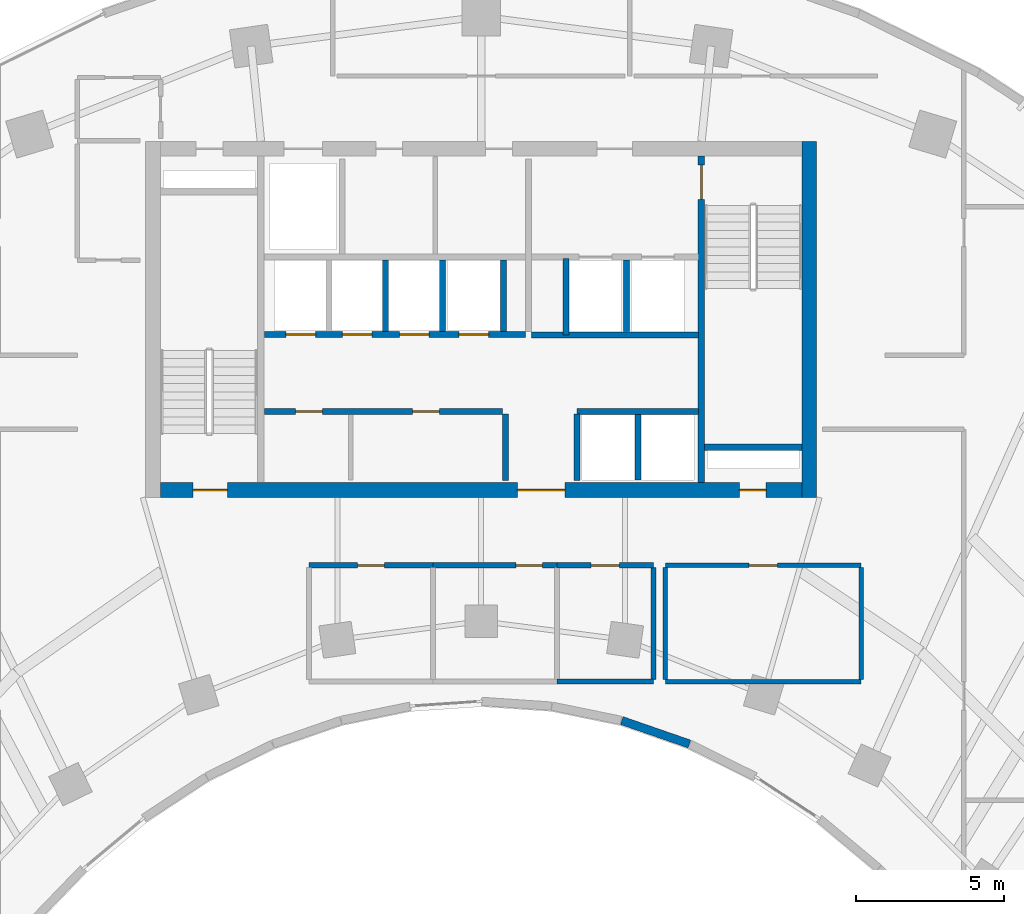
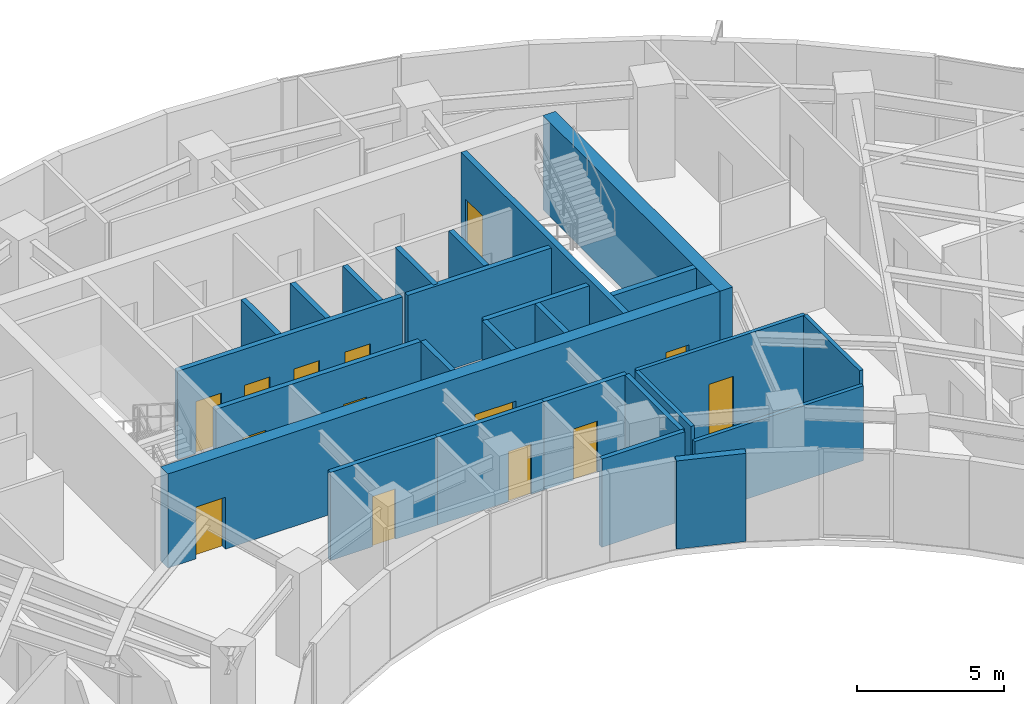
# One storey, part 9 of 14: 26 walls, 14 doors, 14 openings.
"""IFC4 building model written with IfcOpenShell, lengths in metres."""

from ifc_helpers import new_model, si_unit, direction, frame, frame_2d, origin, place, context, subcontext, project, spatial, rectangle, extrude, source, transform, mapped, material, layer, layer_set, type_object, type_shapes, element, fill, save


model = new_model("IFC4")

# Units and contexts
model_context = context("Model", 3, precision=1e-05, world=origin(), true_north=direction((0.0, 1.0)))
body_context = subcontext(model_context, "Body", "Model", "MODEL_VIEW")
ifc_project = project(units=[si_unit("LENGTHUNIT", "METRE"), si_unit("AREAUNIT", "SQUARE_METRE"), si_unit("VOLUMEUNIT", "CUBIC_METRE"), si_unit("PLANEANGLEUNIT", "RADIAN"), si_unit("MASSUNIT", "GRAM", prefix="KILO")], contexts=[model_context])

# Site, building, storey
site_placement = place(None, origin())
site = spatial("IfcSite", under=ifc_project, at=site_placement, CompositionType="ELEMENT")
building_placement = place(site_placement, origin())
building = spatial("IfcBuilding", under=site, at=building_placement, Name="Breltana Convention Tower", CompositionType="ELEMENT")
storey_placement = place(building_placement, frame((0.0, 0.0, 103.800048828125)))
storey = spatial("IfcBuildingStorey", under=building, at=storey_placement, Name="L24", CompositionType="ELEMENT", Elevation=103.800048828125)

# Wall
ifc_material_1 = material(Name="Concrete C60/75", Category="concrete")
ifc_layer_1 = layer(ifc_material_1, 0.5, Name="Concrete C60/75")
ifc_layer_set_1 = layer_set([ifc_layer_1], Name="Concrete C60/75")
wall_type_1 = type_object("IfcWallType", Name="SW-CORE-500", PredefinedType="SHEAR", material=ifc_layer_set_1)
shared_shape_1 = source(origin(), body_context, "Body", "SweptSolid", [
    extrude(rectangle(XDim=12.0, YDim=0.5, at=frame_2d((6.0, 0.0))), origin(), (0.0, 0.0, 1.0), 3.89990234375),
])
wall_1_placement = place(storey_placement, frame((59.050048828125, 60.199951171875, 0.0), z_axis=(0.0, 0.0, 1.0), x_axis=(0.0, 1.0, 0.0)))
element("IfcWall", 1, at=wall_1_placement, inside=storey, type_object=wall_type_1, Name="L24 East Core Shear Wall", PredefinedType="SHEAR", context=body_context, shape_type="MappedRepresentation", body=[
    mapped(shared_shape_1, transform((0.0, 0.0, 0.0), scale=1.0)),
])

# Wall, openings, doors
shared_shape_2 = source(origin(), body_context, "Body", "SweptSolid", [
    extrude(rectangle(XDim=21.60009765625, YDim=0.5, at=frame_2d((10.800048828125, 0.0))), origin(), (0.0, 0.0, 1.0), 3.89990234375),
])
wall_2_placement = place(storey_placement, frame((37.199951171875, 60.449951171875, 0.0), z_axis=(0.0, 0.0, 1.0), x_axis=(1.0, 0.0, 0.0)))
wall_2 = element("IfcWall", 2, at=wall_2_placement, inside=storey, type_object=wall_type_1, Name="L24 South Core Shear Wall", PredefinedType="SHEAR", context=body_context, shape_type="MappedRepresentation", body=[
    mapped(shared_shape_2, transform((0.0, 0.0, 0.0), scale=1.0)),
])
opening_1_placement = place(wall_2_placement, frame((1.10009765625, 0.0, 0.0)))
opening_1 = element("IfcOpeningElement", 3, at=opening_1_placement, cuts=wall_2, Name="Opening D-11", PredefinedType="OPENING", context=body_context, shape_type="SweptSolid", body=[
    extrude(rectangle(XDim=1.14990234375, YDim=2.14990234375, at=frame_2d((0.574951171875, 1.074951171875))), frame((0.0, 0.260009765625, 0.0), z_axis=(0.0, -1.0, 0.0), x_axis=(1.0, 0.0, 0.0)), (0.0, 0.0, 1.0), 0.52001953125),
])
opening_2_placement = place(wall_2_placement, frame((19.5, 0.0, 0.0)))
opening_2 = element("IfcOpeningElement", 4, at=opening_2_placement, cuts=wall_2, Name="Opening D-18", PredefinedType="OPENING", context=body_context, shape_type="SweptSolid", body=[
    extrude(rectangle(XDim=0.89990234375, YDim=2.10009765625, at=frame_2d((0.449951171875, 1.050048828125))), frame((0.0, 0.260009765625, 0.0), z_axis=(0.0, -1.0, 0.0), x_axis=(1.0, 0.0, 0.0)), (0.0, 0.0, 1.0), 0.52001953125),
])
opening_3_placement = place(wall_2_placement, frame((12.02001953125, 0.0, 0.0)))
opening_3 = element("IfcOpeningElement", 5, at=opening_3_placement, cuts=wall_2, Name="Opening D-02", PredefinedType="OPENING", context=body_context, shape_type="SweptSolid", body=[
    extrude(rectangle(XDim=1.60009765625, YDim=2.14990234375, at=frame_2d((0.800048828125, 1.074951171875))), frame((0.0, 0.260009765625, 0.0), z_axis=(0.0, -1.0, 0.0), x_axis=(1.0, 0.0, 0.0)), (0.0, 0.0, 1.0), 0.52001953125),
])
ifc_material_2 = material(Name="Steel Stair Exit Door", Category="steel")
door_type_1 = type_object("IfcDoorType", Name="DR-FD120-1150", OperationType="NOTDEFINED", PredefinedType="DOOR", material=ifc_material_2)
shared_shape_3 = source(origin(), body_context, "Body", "SweptSolid", [
    extrude(rectangle(XDim=1.14990234375, YDim=2.14990234375, at=frame_2d((0.574951171875, 1.074951171875))), frame((0.0, 0.02490234375, 0.0), z_axis=(0.0, -1.0, 0.0), x_axis=(1.0, 0.0, 0.0)), (0.0, 0.0, 1.0), 0.050048828125),
])
type_shapes(door_type_1, [shared_shape_3])
door_1_placement = place(opening_1_placement, origin())
door_1 = element("IfcDoor", 6, at=door_1_placement, inside=storey, type_object=door_type_1, Name="L24 interior door D-L24-ST1", OperationType="SINGLE_SWING_LEFT", OverallHeight=2.14990234375, OverallWidth=1.14990234375, PredefinedType="DOOR", context=body_context, shape_type="MappedRepresentation", body=[
    mapped(shared_shape_3, transform((0.0, 0.0, 0.0), scale=1.0)),
])
fill(opening_1, door_1)
ifc_material_3 = material(Name="Steel Riser Fire Door", Category="steel")
door_type_2 = type_object("IfcDoorType", Name="DR-FD60-900", OperationType="NOTDEFINED", PredefinedType="DOOR", material=ifc_material_3)
shared_shape_4 = source(origin(), body_context, "Body", "SweptSolid", [
    extrude(rectangle(XDim=0.89990234375, YDim=2.10009765625, at=frame_2d((0.449951171875, 1.050048828125))), frame((0.0, 0.02490234375, 0.0), z_axis=(0.0, -1.0, 0.0), x_axis=(1.0, 0.0, 0.0)), (0.0, 0.0, 1.0), 0.050048828125),
])
type_shapes(door_type_2, [shared_shape_4])
door_2_placement = place(opening_2_placement, origin())
door_2 = element("IfcDoor", 7, at=door_2_placement, inside=storey, type_object=door_type_2, Name="L24 Core Riser Access Door D-L24-RS2", OperationType="SINGLE_SWING_RIGHT", OverallHeight=2.10009765625, OverallWidth=0.89990234375, PredefinedType="DOOR", context=body_context, shape_type="MappedRepresentation", body=[
    mapped(shared_shape_4, transform((0.0, 0.0, 0.0), scale=1.0)),
])
fill(opening_2, door_2)
ifc_material_4 = material(Name="Steel Glazed Smoke-Control Door", Category="steel")
door_type_3 = type_object("IfcDoorType", Name="DR-DBL-FD90-1600", OperationType="DOUBLE_DOOR_SINGLE_SWING", PredefinedType="DOOR", material=ifc_material_4)
shared_shape_5 = source(origin(), body_context, "Body", "SweptSolid", [
    extrude(rectangle(XDim=1.60009765625, YDim=2.14990234375, at=frame_2d((0.800048828125, 1.074951171875))), frame((0.0, 0.02490234375, 0.0), z_axis=(0.0, -1.0, 0.0), x_axis=(1.0, 0.0, 0.0)), (0.0, 0.0, 1.0), 0.050048828125),
])
type_shapes(door_type_3, [shared_shape_5])
door_3_placement = place(opening_3_placement, origin())
door_3 = element("IfcDoor", 8, at=door_3_placement, inside=storey, type_object=door_type_3, Name="L24 interior door D-L24-LLB-S", OperationType="DOUBLE_DOOR_SINGLE_SWING", OverallHeight=2.14990234375, OverallWidth=1.60009765625, PredefinedType="DOOR", context=body_context, shape_type="MappedRepresentation", body=[
    mapped(shared_shape_5, transform((0.0, 0.0, 0.0), scale=1.0)),
])
fill(opening_3, door_3)

# Wall
ifc_material_5 = material(Name="Concrete C50/60", Category="concrete")
ifc_layer_2 = layer(ifc_material_5, 0.39990234375, Name="Concrete C50/60")
ifc_layer_set_2 = layer_set([ifc_layer_2], Name="Concrete C50/60")
wall_type_2 = type_object("IfcWallType", Name="SW-CORE-400", PredefinedType="SHEAR", material=ifc_layer_set_2)
shared_shape_6 = source(origin(), body_context, "Body", "SweptSolid", [
    extrude(rectangle(XDim=3.27001953125, YDim=0.219970703125, at=frame_2d((1.635009765625, 0.0))), origin(), (0.0, 0.0, 1.0), 3.89990234375),
])
wall_3_placement = place(storey_placement, frame((55.530029296875, 61.889892578125, 0.0), z_axis=(0.0, 0.0, 1.0), x_axis=(1.0, 0.0, 0.0)))
element("IfcWall", 9, at=wall_3_placement, inside=storey, type_object=wall_type_2, Name="L24 ST-2 Stairwell South Bearing Wall", PredefinedType="SHEAR", context=body_context, shape_type="MappedRepresentation", body=[
    mapped(shared_shape_6, transform((0.0, 0.0, 0.0), scale=1.0)),
])

# Wall, opening, door
shared_shape_7 = source(origin(), body_context, "Body", "SweptSolid", [
    extrude(rectangle(XDim=11.0, YDim=0.219970703125, at=frame_2d((5.5, 0.0))), origin(), (0.0, 0.0, 1.0), 3.89990234375),
])
wall_4_placement = place(storey_placement, frame((55.419921875, 60.699951171875, 0.0), z_axis=(0.0, 0.0, 1.0), x_axis=(0.0, 1.0, 0.0)))
wall_4 = element("IfcWall", 10, at=wall_4_placement, inside=storey, type_object=wall_type_2, Name="L24 Core East Stair Spine Wall", PredefinedType="SHEAR", context=body_context, shape_type="MappedRepresentation", body=[
    mapped(shared_shape_7, transform((0.0, 0.0, 0.0), scale=1.0)),
])
opening_4_placement = place(wall_4_placement, frame((9.544921875, 0.0, 0.0)))
opening_4 = element("IfcOpeningElement", 11, at=opening_4_placement, cuts=wall_4, Name="Opening D-11", PredefinedType="OPENING", context=body_context, shape_type="SweptSolid", body=[
    extrude(rectangle(XDim=1.14990234375, YDim=2.14990234375, at=frame_2d((0.574951171875, 1.074951171875))), frame((0.0, 0.1201171875, 0.0), z_axis=(0.0, -1.0, 0.0), x_axis=(1.0, 0.0, 0.0)), (0.0, 0.0, 1.0), 0.239990234375),
])
door_4_placement = place(opening_4_placement, origin())
door_4 = element("IfcDoor", 12, at=door_4_placement, inside=storey, type_object=door_type_1, Name="L24 interior door D-L24-ST2", OperationType="SINGLE_SWING_LEFT", OverallHeight=2.14990234375, OverallWidth=1.14990234375, PredefinedType="DOOR", context=body_context, shape_type="MappedRepresentation", body=[
    mapped(shared_shape_3, transform((0.0, 0.0, 0.0), scale=1.0)),
])
fill(opening_4, door_4)

# Walls
ifc_material_6 = material(Name="Limestone Buff Insulated Wall", Category="masonry")
ifc_layer_3 = layer(ifc_material_6, 0.280029296875, Name="Limestone Buff Insulated Wall")
ifc_layer_set_3 = layer_set([ifc_layer_3], Name="Limestone Buff Insulated Wall")
wall_type_3 = type_object("IfcWallType", Name="WL-EXT-NOSE-280", PredefinedType="SOLIDWALL", material=ifc_layer_set_3)
shared_shape_8 = source(origin(), body_context, "Body", "SweptSolid", [
    extrude(rectangle(XDim=2.41064453125, YDim=0.280029296875, at=frame_2d((1.205322265625, 0.0))), origin(), (0.0, 0.0, 1.0), 3.64990234375),
])
wall_5_placement = place(storey_placement, frame((55.01171875, 51.8994140625, 0.0), z_axis=(0.0, 0.0, 1.0), x_axis=(-0.944880068161, 0.327416640982, 0.0)))
element("IfcWall", 13, at=wall_5_placement, inside=storey, type_object=wall_type_3, Name="L24 curved limestone nose wall E10", PredefinedType="SOLIDWALL", context=body_context, shape_type="MappedRepresentation", body=[
    mapped(shared_shape_8, transform((0.0, 0.0, 0.0), scale=1.0)),
])
ifc_material_7 = material(Name="Autoclaved Aerated Concrete Block", Category="concrete")
ifc_layer_4 = layer(ifc_material_7, 0.199951171875, Name="Autoclaved Aerated Concrete Block")
ifc_layer_set_4 = layer_set([ifc_layer_4], Name="Autoclaved Aerated Concrete Block")
wall_type_4 = type_object("IfcWallType", Name="WL-SHAFT-200", PredefinedType="SOLIDWALL", material=ifc_layer_set_4)
shared_shape_9 = source(origin(), body_context, "Body", "SweptSolid", [
    extrude(rectangle(XDim=2.239990234375, YDim=0.199951171875, at=frame_2d((1.1201171875, 0.0))), origin(), (0.0, 0.0, 1.0), 3.64990234375),
])
for number, where, z_axis, x_axis, name in (
    (14, (48.820068359375, 60.780029296875, 0.0), (0.0, 0.0, 1.0), (0.0, 1.0, 0.0), "L24 interior partition W-L24-PORT-W"),
    (15, (51.219970703125, 60.780029296875, 0.0), (0.0, 0.0, 1.0), (0.0, 1.0, 0.0), "L24 interior partition W-L24-PORT-E"),
):
    element("IfcWall", number, at=place(storey_placement, frame(where, z_axis=z_axis, x_axis=x_axis)), inside=storey, type_object=wall_type_4, Name=name, PredefinedType="SOLIDWALL", context=body_context, shape_type="MappedRepresentation", body=[
        mapped(shared_shape_9, transform((0.0, 0.0, 0.0), scale=1.0)),
    ])
shared_shape_10 = source(origin(), body_context, "Body", "SweptSolid", [
    extrude(rectangle(XDim=5.6201171875, YDim=0.199951171875, at=frame_2d((2.81005859375, 0.0))), origin(), (0.0, 0.0, 1.0), 3.64990234375),
])
wall_6_placement = place(storey_placement, frame((49.699951171875, 65.679931640625, 0.0), z_axis=(0.0, 0.0, 1.0), x_axis=(1.0, 0.0, 0.0)))
element("IfcWall", 16, at=wall_6_placement, inside=storey, type_object=wall_type_4, Name="L24 interior partition W-L24-FL-S", PredefinedType="SOLIDWALL", context=body_context, shape_type="MappedRepresentation", body=[
    mapped(shared_shape_10, transform((0.0, 0.0, 0.0), scale=1.0)),
])
shared_shape_11 = source(origin(), body_context, "Body", "SweptSolid", [
    extrude(rectangle(XDim=2.580078125, YDim=0.199951171875, at=frame_2d((1.2900390625, 0.0))), origin(), (0.0, 0.0, 1.0), 3.64990234375),
])
wall_7_placement = place(storey_placement, frame((50.85009765625, 65.679931640625, 0.0), z_axis=(0.0, 0.0, 1.0), x_axis=(0.0, 1.0, 0.0)))
element("IfcWall", 17, at=wall_7_placement, inside=storey, type_object=wall_type_4, Name="L24 interior partition W-L24-FL-W", PredefinedType="SOLIDWALL", context=body_context, shape_type="MappedRepresentation", body=[
    mapped(shared_shape_11, transform((0.0, 0.0, 0.0), scale=1.0)),
])
shared_shape_12 = source(origin(), body_context, "Body", "SweptSolid", [
    extrude(rectangle(XDim=2.39990234375, YDim=0.199951171875, at=frame_2d((1.199951171875, 0.0))), origin(), (0.0, 0.0, 1.0), 3.64990234375),
])
for number, where, z_axis, x_axis, name in (
    (18, (52.89990234375, 65.800048828125, 0.0), (0.0, 0.0, 1.0), (0.0, 1.0, 0.0), "L24 interior partition W-L24-FL-DIV"),
    (19, (48.75, 65.800048828125, 0.0), (0.0, 0.0, 1.0), (0.0, 1.0, 0.0), "L24 interior partition W-L24-SH-M-END"),
    (20, (44.77001953125, 65.800048828125, 0.0), (0.0, 0.0, 1.0), (0.0, 1.0, 0.0), "L24 interior partition W-L24-SH-M-DIV2"),
    (21, (46.699951171875, 65.800048828125, 0.0), (0.0, 0.0, 1.0), (0.0, 1.0, 0.0), "L24 interior partition W-L24-SH-M-DIV3"),
):
    element("IfcWall", number, at=place(storey_placement, frame(where, z_axis=z_axis, x_axis=x_axis)), inside=storey, type_object=wall_type_4, Name=name, PredefinedType="SOLIDWALL", context=body_context, shape_type="MappedRepresentation", body=[
        mapped(shared_shape_12, transform((0.0, 0.0, 0.0), scale=1.0)),
    ])

# Wall, openings, doors
shared_shape_13 = source(origin(), body_context, "Body", "SweptSolid", [
    extrude(rectangle(XDim=8.800048828125, YDim=0.199951171875, at=frame_2d((4.39990234375, 0.0))), origin(), (0.0, 0.0, 1.0), 3.64990234375),
])
wall_8_placement = place(storey_placement, frame((40.699951171875, 65.699951171875, 0.0), z_axis=(0.0, 0.0, 1.0), x_axis=(1.0, 0.0, 0.0)))
wall_8 = element("IfcWall", 22, at=wall_8_placement, inside=storey, type_object=wall_type_4, Name="L24 interior partition W-L24-SH-M-FRONT", PredefinedType="SOLIDWALL", context=body_context, shape_type="MappedRepresentation", body=[
    mapped(shared_shape_13, transform((0.0, 0.0, 0.0), scale=1.0)),
])
opening_5_placement = place(wall_8_placement, frame((0.719970703125, 0.0, 0.0)))
opening_5 = element("IfcOpeningElement", 23, at=opening_5_placement, cuts=wall_8, Name="Opening LD-04", PredefinedType="OPENING", context=body_context, shape_type="SweptSolid", body=[
    extrude(rectangle(XDim=1.0, YDim=2.14990234375, at=frame_2d((0.5, 1.074951171875))), frame((0.0, 0.10986328125, 0.0), z_axis=(0.0, -1.0, 0.0), x_axis=(1.0, 0.0, 0.0)), (0.0, 0.0, 1.0), 0.219970703125),
])
opening_6_placement = place(wall_8_placement, frame((2.6201171875, 0.0, 0.0)))
opening_6 = element("IfcOpeningElement", 24, at=opening_6_placement, cuts=wall_8, Name="Opening LD-04", PredefinedType="OPENING", context=body_context, shape_type="SweptSolid", body=[
    extrude(rectangle(XDim=1.0, YDim=2.14990234375, at=frame_2d((0.5, 1.074951171875))), frame((0.0, 0.10986328125, 0.0), z_axis=(0.0, -1.0, 0.0), x_axis=(1.0, 0.0, 0.0)), (0.0, 0.0, 1.0), 0.219970703125),
])
opening_7_placement = place(wall_8_placement, frame((4.550048828125, 0.0, 0.0)))
opening_7 = element("IfcOpeningElement", 25, at=opening_7_placement, cuts=wall_8, Name="Opening LD-04", PredefinedType="OPENING", context=body_context, shape_type="SweptSolid", body=[
    extrude(rectangle(XDim=1.0, YDim=2.14990234375, at=frame_2d((0.5, 1.074951171875))), frame((0.0, 0.10986328125, 0.0), z_axis=(0.0, -1.0, 0.0), x_axis=(1.0, 0.0, 0.0)), (0.0, 0.0, 1.0), 0.219970703125),
])
opening_8_placement = place(wall_8_placement, frame((6.550048828125, 0.0, 0.0)))
opening_8 = element("IfcOpeningElement", 26, at=opening_8_placement, cuts=wall_8, Name="Opening LD-04", PredefinedType="OPENING", context=body_context, shape_type="SweptSolid", body=[
    extrude(rectangle(XDim=1.0, YDim=2.14990234375, at=frame_2d((0.5, 1.074951171875))), frame((0.0, 0.10986328125, 0.0), z_axis=(0.0, -1.0, 0.0), x_axis=(1.0, 0.0, 0.0)), (0.0, 0.0, 1.0), 0.219970703125),
])
ifc_material_8 = material(Name="Stainless Steel Brushed", Category="steel")
door_type_4 = type_object("IfcDoorType", Name="DR-LD-PAX-1000", OperationType="DOUBLE_DOOR_SLIDING", PredefinedType="DOOR", material=ifc_material_8)
shared_shape_14 = source(origin(), body_context, "Body", "SweptSolid", [
    extrude(rectangle(XDim=1.0, YDim=2.14990234375, at=frame_2d((0.5, 1.074951171875))), frame((0.0, 0.02490234375, 0.0), z_axis=(0.0, -1.0, 0.0), x_axis=(1.0, 0.0, 0.0)), (0.0, 0.0, 1.0), 0.050048828125),
])
type_shapes(door_type_4, [shared_shape_14])
door_5_placement = place(opening_5_placement, origin())
door_5 = element("IfcDoor", 27, at=door_5_placement, inside=storey, type_object=door_type_4, Name="L24 Lift Landing Door D-L24-LD-M1", OperationType="DOUBLE_DOOR_SLIDING", OverallHeight=2.14990234375, OverallWidth=1.0, PredefinedType="DOOR", context=body_context, shape_type="MappedRepresentation", body=[
    mapped(shared_shape_14, transform((0.0, 0.0, 0.0), scale=1.0)),
])
fill(opening_5, door_5)
door_6_placement = place(opening_6_placement, origin())
door_6 = element("IfcDoor", 28, at=door_6_placement, inside=storey, type_object=door_type_4, Name="L24 Lift Landing Door D-L24-LD-M2", OperationType="DOUBLE_DOOR_SLIDING", OverallHeight=2.14990234375, OverallWidth=1.0, PredefinedType="DOOR", context=body_context, shape_type="MappedRepresentation", body=[
    mapped(shared_shape_14, transform((0.0, 0.0, 0.0), scale=1.0)),
])
fill(opening_6, door_6)
door_7_placement = place(opening_7_placement, origin())
door_7 = element("IfcDoor", 29, at=door_7_placement, inside=storey, type_object=door_type_4, Name="L24 Lift Landing Door D-L24-LD-M3", OperationType="DOUBLE_DOOR_SLIDING", OverallHeight=2.14990234375, OverallWidth=1.0, PredefinedType="DOOR", context=body_context, shape_type="MappedRepresentation", body=[
    mapped(shared_shape_14, transform((0.0, 0.0, 0.0), scale=1.0)),
])
fill(opening_7, door_7)
door_8_placement = place(opening_8_placement, origin())
door_8 = element("IfcDoor", 30, at=door_8_placement, inside=storey, type_object=door_type_4, Name="L24 Lift Landing Door D-L24-LD-M4", OperationType="DOUBLE_DOOR_SLIDING", OverallHeight=2.14990234375, OverallWidth=1.0, PredefinedType="DOOR", context=body_context, shape_type="MappedRepresentation", body=[
    mapped(shared_shape_14, transform((0.0, 0.0, 0.0), scale=1.0)),
])
fill(opening_8, door_8)

shared_shape_15 = source(origin(), body_context, "Body", "SweptSolid", [
    extrude(rectangle(XDim=8.02001953125, YDim=0.199951171875, at=frame_2d((4.010009765625, 0.0))), origin(), (0.0, 0.0, 1.0), 3.64990234375),
])
wall_9_placement = place(storey_placement, frame((40.699951171875, 63.10009765625, 0.0), z_axis=(0.0, 0.0, 1.0), x_axis=(1.0, 0.0, 0.0)))
wall_9 = element("IfcWall", 31, at=wall_9_placement, inside=storey, type_object=wall_type_4, Name="L24 interior partition W-L24-SH-S-FRONT", PredefinedType="SOLIDWALL", context=body_context, shape_type="MappedRepresentation", body=[
    mapped(shared_shape_15, transform((0.0, 0.0, 0.0), scale=1.0)),
])
opening_9_placement = place(wall_9_placement, frame((1.050048828125, 0.0, 0.0)))
opening_9 = element("IfcOpeningElement", 32, at=opening_9_placement, cuts=wall_9, Name="Opening D-18", PredefinedType="OPENING", context=body_context, shape_type="SweptSolid", body=[
    extrude(rectangle(XDim=0.89990234375, YDim=2.10009765625, at=frame_2d((0.449951171875, 1.050048828125))), frame((0.0, 0.10986328125, 0.0), z_axis=(0.0, -1.0, 0.0), x_axis=(1.0, 0.0, 0.0)), (0.0, 0.0, 1.0), 0.219970703125),
])
opening_10_placement = place(wall_9_placement, frame((4.989990234375, 0.0, 0.0)))
opening_10 = element("IfcOpeningElement", 33, at=opening_10_placement, cuts=wall_9, Name="Opening D-18", PredefinedType="OPENING", context=body_context, shape_type="SweptSolid", body=[
    extrude(rectangle(XDim=0.89990234375, YDim=2.10009765625, at=frame_2d((0.449951171875, 1.050048828125))), frame((0.0, 0.10986328125, 0.0), z_axis=(0.0, -1.0, 0.0), x_axis=(1.0, 0.0, 0.0)), (0.0, 0.0, 1.0), 0.219970703125),
])
door_9_placement = place(opening_9_placement, origin())
door_9 = element("IfcDoor", 34, at=door_9_placement, inside=storey, type_object=door_type_2, Name="L24 interior door D-L24-LV7-B1A", OperationType="SINGLE_SWING_RIGHT", OverallHeight=2.10009765625, OverallWidth=0.89990234375, PredefinedType="DOOR", context=body_context, shape_type="MappedRepresentation", body=[
    mapped(shared_shape_4, transform((0.0, 0.0, 0.0), scale=1.0)),
])
fill(opening_9, door_9)
door_10_placement = place(opening_10_placement, origin())
door_10 = element("IfcDoor", 35, at=door_10_placement, inside=storey, type_object=door_type_2, Name="L24 interior door D-L24-LV7-B1B", OperationType="SINGLE_SWING_LEFT", OverallHeight=2.10009765625, OverallWidth=0.89990234375, PredefinedType="DOOR", context=body_context, shape_type="MappedRepresentation", body=[
    mapped(shared_shape_4, transform((0.0, 0.0, 0.0), scale=1.0)),
])
fill(opening_10, door_10)

# Walls
shared_shape_16 = source(origin(), body_context, "Body", "SweptSolid", [
    extrude(rectangle(XDim=4.10009765625, YDim=0.199951171875, at=frame_2d((2.050048828125, 0.0))), origin(), (0.0, 0.0, 1.0), 3.64990234375),
])
wall_10_placement = place(storey_placement, frame((51.219970703125, 63.10009765625, 0.0), z_axis=(0.0, 0.0, 1.0), x_axis=(1.0, 0.0, 0.0)))
element("IfcWall", 36, at=wall_10_placement, inside=storey, type_object=wall_type_4, Name="L24 interior partition W-L24-SH-X-FRONT", PredefinedType="SOLIDWALL", context=body_context, shape_type="MappedRepresentation", body=[
    mapped(shared_shape_16, transform((0.0, 0.0, 0.0), scale=1.0)),
])
shared_shape_17 = source(origin(), body_context, "Body", "SweptSolid", [
    extrude(rectangle(XDim=2.199951171875, YDim=0.199951171875, at=frame_2d((1.10009765625, 0.0))), origin(), (0.0, 0.0, 1.0), 3.64990234375),
])
wall_11_placement = place(storey_placement, frame((53.280029296875, 60.800048828125, 0.0), z_axis=(0.0, 0.0, 1.0), x_axis=(0.0, 1.0, 0.0)))
element("IfcWall", 37, at=wall_11_placement, inside=storey, type_object=wall_type_4, Name="L24 interior partition W-L24-SH-X-DIV", PredefinedType="SOLIDWALL", context=body_context, shape_type="MappedRepresentation", body=[
    mapped(shared_shape_17, transform((0.0, 0.0, 0.0), scale=1.0)),
])

# Wall, opening, door
ifc_material_9 = material(Name="Moisture-Resistant Gypsum Chase Wall")
ifc_layer_5 = layer(ifc_material_9, 0.179931640625, Name="Moisture-Resistant Gypsum Chase Wall")
ifc_layer_set_5 = layer_set([ifc_layer_5], Name="Moisture-Resistant Gypsum Chase Wall")
wall_type_5 = type_object("IfcWallType", Name="WL-PLUMB-180", PredefinedType="PLUMBINGWALL", material=ifc_layer_set_5)
shared_shape_18 = source(origin(), body_context, "Body", "SweptSolid", [
    extrude(rectangle(XDim=4.176025390625, YDim=0.179931640625, at=frame_2d((2.087890625, 0.0))), origin(), (0.0, 0.0, 1.0), 3.64990234375),
])
wall_12_placement = place(storey_placement, frame((42.199951171875, 57.919921875, 0.0), z_axis=(0.0, 0.0, 1.0), x_axis=(1.0, 0.0, 0.0)))
wall_12 = element("IfcWall", 38, at=wall_12_placement, inside=storey, type_object=wall_type_5, Name="L24 interior partition W-L24-WCM-N", PredefinedType="PLUMBINGWALL", context=body_context, shape_type="MappedRepresentation", body=[
    mapped(shared_shape_18, transform((0.0, 0.0, 0.0), scale=1.0)),
])
opening_11_placement = place(wall_12_placement, frame((1.637939453125, 0.0, 0.0)))
opening_11 = element("IfcOpeningElement", 39, at=opening_11_placement, cuts=wall_12, Name="Opening D-19", PredefinedType="OPENING", context=body_context, shape_type="SweptSolid", body=[
    extrude(rectangle(XDim=0.89990234375, YDim=2.080078125, at=frame_2d((0.449951171875, 1.0400390625))), frame((0.0, 0.10009765625, 0.0), z_axis=(0.0, -1.0, 0.0), x_axis=(1.0, 0.0, 0.0)), (0.0, 0.0, 1.0), 0.199951171875),
])
ifc_material_10 = material(Name="Timber Moisture-Resistant Door", Category="wood")
door_type_5 = type_object("IfcDoorType", Name="DR-WC-900", OperationType="NOTDEFINED", PredefinedType="DOOR", material=ifc_material_10)
shared_shape_19 = source(origin(), body_context, "Body", "SweptSolid", [
    extrude(rectangle(XDim=0.89990234375, YDim=2.080078125, at=frame_2d((0.449951171875, 1.0400390625))), frame((0.0, 0.02490234375, 0.0), z_axis=(0.0, -1.0, 0.0), x_axis=(1.0, 0.0, 0.0)), (0.0, 0.0, 1.0), 0.050048828125),
])
type_shapes(door_type_5, [shared_shape_19])
door_11_placement = place(opening_11_placement, origin())
door_11 = element("IfcDoor", 40, at=door_11_placement, inside=storey, type_object=door_type_5, Name="L24 interior door D-L24-WCM", OperationType="SINGLE_SWING_RIGHT", OverallHeight=2.080078125, OverallWidth=0.89990234375, PredefinedType="DOOR", context=body_context, shape_type="MappedRepresentation", body=[
    mapped(shared_shape_19, transform((0.0, 0.0, 0.0), scale=1.0)),
])
fill(opening_11, door_11)

wall_13_placement = place(storey_placement, frame((46.3759765625, 57.919921875, 0.0), z_axis=(0.0, 0.0, 1.0), x_axis=(1.0, 0.0, 0.0)))
wall_13 = element("IfcWall", 41, at=wall_13_placement, inside=storey, type_object=wall_type_5, Name="L24 interior partition W-L24-WCF-N", PredefinedType="PLUMBINGWALL", context=body_context, shape_type="MappedRepresentation", body=[
    mapped(shared_shape_18, transform((0.0, 0.0, 0.0), scale=1.0)),
])
opening_12_placement = place(wall_13_placement, frame((2.7880859375, 0.0, 0.0)))
opening_12 = element("IfcOpeningElement", 42, at=opening_12_placement, cuts=wall_13, Name="Opening D-19", PredefinedType="OPENING", context=body_context, shape_type="SweptSolid", body=[
    extrude(rectangle(XDim=0.89990234375, YDim=2.080078125, at=frame_2d((0.449951171875, 1.0400390625))), frame((0.0, 0.10009765625, 0.0), z_axis=(0.0, -1.0, 0.0), x_axis=(1.0, 0.0, 0.0)), (0.0, 0.0, 1.0), 0.199951171875),
])
door_12_placement = place(opening_12_placement, origin())
door_12 = element("IfcDoor", 43, at=door_12_placement, inside=storey, type_object=door_type_5, Name="L24 interior door D-L24-WCF", OperationType="SINGLE_SWING_LEFT", OverallHeight=2.080078125, OverallWidth=0.89990234375, PredefinedType="DOOR", context=body_context, shape_type="MappedRepresentation", body=[
    mapped(shared_shape_19, transform((0.0, 0.0, 0.0), scale=1.0)),
])
fill(opening_12, door_12)

# Walls
ifc_material_11 = material(Name="Cement Board Wet-Area Partition")
ifc_layer_6 = layer(ifc_material_11, 0.175048828125, Name="Cement Board Wet-Area Partition")
ifc_layer_set_6 = layer_set([ifc_layer_6], Name="Cement Board Wet-Area Partition")
wall_type_6 = type_object("IfcWallType", Name="WL-WET-175", PredefinedType="PARTITIONING", material=ifc_layer_set_6)
shared_shape_20 = source(origin(), body_context, "Body", "SweptSolid", [
    extrude(rectangle(XDim=3.7626953125, YDim=0.175048828125, at=frame_2d((1.88134765625, 0.0))), origin(), (0.0, 0.0, 1.0), 3.64990234375),
])
wall_14_placement = place(storey_placement, frame((53.800048828125, 54.07861328125, 0.0), z_axis=(0.0, 0.0, 1.0), x_axis=(0.0, 1.0, 0.0)))
element("IfcWall", 44, at=wall_14_placement, inside=storey, type_object=wall_type_6, Name="L24 interior partition W-L24-WCA-E", PredefinedType="PARTITIONING", context=body_context, shape_type="MappedRepresentation", body=[
    mapped(shared_shape_20, transform((0.0, 0.0, 0.0), scale=1.0)),
])
shared_shape_21 = source(origin(), body_context, "Body", "SweptSolid", [
    extrude(rectangle(XDim=3.248046875, YDim=0.175048828125, at=frame_2d((1.6240234375, 0.0))), origin(), (0.0, 0.0, 1.0), 3.64990234375),
])
wall_15_placement = place(storey_placement, frame((50.552001953125, 54.0, 0.0), z_axis=(0.0, 0.0, 1.0), x_axis=(1.0, 0.0, 0.0)))
element("IfcWall", 45, at=wall_15_placement, inside=storey, type_object=wall_type_6, Name="L24 interior partition W-L24-WCA-S", PredefinedType="PARTITIONING", context=body_context, shape_type="MappedRepresentation", body=[
    mapped(shared_shape_21, transform((0.0, 0.0, 0.0), scale=1.0)),
])

# Wall, opening, door
shared_shape_22 = source(origin(), body_context, "Body", "SweptSolid", [
    extrude(rectangle(XDim=3.248046875, YDim=0.179931640625, at=frame_2d((1.6240234375, 0.0))), origin(), (0.0, 0.0, 1.0), 3.64990234375),
])
wall_16_placement = place(storey_placement, frame((50.552001953125, 57.919921875, 0.0), z_axis=(0.0, 0.0, 1.0), x_axis=(1.0, 0.0, 0.0)))
wall_16 = element("IfcWall", 46, at=wall_16_placement, inside=storey, type_object=wall_type_5, Name="L24 interior partition W-L24-WCA-N", PredefinedType="PLUMBINGWALL", context=body_context, shape_type="MappedRepresentation", body=[
    mapped(shared_shape_22, transform((0.0, 0.0, 0.0), scale=1.0)),
])
opening_13_placement = place(wall_16_placement, frame((1.14892578125, 0.0, 0.0)))
opening_13 = element("IfcOpeningElement", 47, at=opening_13_placement, cuts=wall_16, Name="Opening D-16", PredefinedType="OPENING", context=body_context, shape_type="SweptSolid", body=[
    extrude(rectangle(XDim=0.949951171875, YDim=2.1201171875, at=frame_2d((0.47509765625, 1.06005859375))), frame((0.0, 0.10009765625, 0.0), z_axis=(0.0, -1.0, 0.0), x_axis=(1.0, 0.0, 0.0)), (0.0, 0.0, 1.0), 0.199951171875),
])
ifc_material_12 = material(Name="Timber Laminate Accessible Door", Category="wood")
door_type_6 = type_object("IfcDoorType", Name="DR-ACC-950", OperationType="NOTDEFINED", PredefinedType="DOOR", material=ifc_material_12)
shared_shape_23 = source(origin(), body_context, "Body", "SweptSolid", [
    extrude(rectangle(XDim=0.949951171875, YDim=2.1201171875, at=frame_2d((0.47509765625, 1.06005859375))), frame((0.0, 0.02490234375, 0.0), z_axis=(0.0, -1.0, 0.0), x_axis=(1.0, 0.0, 0.0)), (0.0, 0.0, 1.0), 0.050048828125),
])
type_shapes(door_type_6, [shared_shape_23])
door_13_placement = place(opening_13_placement, origin())
door_13 = element("IfcDoor", 48, at=door_13_placement, inside=storey, type_object=door_type_6, Name="L24 interior door D-L24-WCA", OperationType="SINGLE_SWING_RIGHT", OverallHeight=2.1201171875, OverallWidth=0.949951171875, PredefinedType="DOOR", context=body_context, shape_type="MappedRepresentation", body=[
    mapped(shared_shape_23, transform((0.0, 0.0, 0.0), scale=1.0)),
])
fill(opening_13, door_13)

# Wall
ifc_material_13 = material(Name="Gypsum Acoustic Drywall Partition")
ifc_layer_7 = layer(ifc_material_13, 0.14990234375, Name="Gypsum Acoustic Drywall Partition")
ifc_layer_set_7 = layer_set([ifc_layer_7], Name="Gypsum Acoustic Drywall Partition")
wall_type_7 = type_object("IfcWallType", Name="WL-PART-150", PredefinedType="PARTITIONING", material=ifc_layer_set_7)
shared_shape_24 = source(origin(), body_context, "Body", "SweptSolid", [
    extrude(rectangle(XDim=6.60009765625, YDim=0.14990234375, at=frame_2d((3.300048828125, 0.0))), origin(), (0.0, 0.0, 1.0), 3.094970703125),
])
wall_17_placement = place(storey_placement, frame((54.199951171875, 54.0, 0.0), z_axis=(0.0, 0.0, 1.0), x_axis=(1.0, 0.0, 0.0)))
element("IfcWall", 49, at=wall_17_placement, inside=storey, type_object=wall_type_7, Name="L24 interior partition W-L24-PNT-S", PredefinedType="PARTITIONING", context=body_context, shape_type="MappedRepresentation", body=[
    mapped(shared_shape_24, transform((0.0, 0.0, 0.0), scale=1.0)),
])

# Wall, opening, door
shared_shape_25 = source(origin(), body_context, "Body", "SweptSolid", [
    extrude(rectangle(XDim=6.60009765625, YDim=0.14990234375, at=frame_2d((3.300048828125, 0.0))), origin(), (0.0, 0.0, 1.0), 3.64990234375),
])
wall_18_placement = place(storey_placement, frame((54.199951171875, 57.919921875, 0.0), z_axis=(0.0, 0.0, 1.0), x_axis=(1.0, 0.0, 0.0)))
wall_18 = element("IfcWall", 50, at=wall_18_placement, inside=storey, type_object=wall_type_7, Name="L24 interior partition W-L24-PNT-N", PredefinedType="PARTITIONING", context=body_context, shape_type="MappedRepresentation", body=[
    mapped(shared_shape_25, transform((0.0, 0.0, 0.0), scale=1.0)),
])
opening_14_placement = place(wall_18_placement, frame((2.824951171875, 0.0, 0.0)))
opening_14 = element("IfcOpeningElement", 51, at=opening_14_placement, cuts=wall_18, Name="Opening D-17", PredefinedType="OPENING", context=body_context, shape_type="SweptSolid", body=[
    extrude(rectangle(XDim=0.949951171875, YDim=2.10009765625, at=frame_2d((0.47509765625, 1.050048828125))), frame((0.0, 0.0849609375, 0.0), z_axis=(0.0, -1.0, 0.0), x_axis=(1.0, 0.0, 0.0)), (0.0, 0.0, 1.0), 0.169921875),
])
ifc_material_14 = material(Name="Timber Oak Veneer Door", Category="wood")
door_type_7 = type_object("IfcDoorType", Name="DR-INT-950", OperationType="NOTDEFINED", PredefinedType="DOOR", material=ifc_material_14)
shared_shape_26 = source(origin(), body_context, "Body", "SweptSolid", [
    extrude(rectangle(XDim=0.949951171875, YDim=2.10009765625, at=frame_2d((0.47509765625, 1.050048828125))), frame((0.0, 0.02490234375, 0.0), z_axis=(0.0, -1.0, 0.0), x_axis=(1.0, 0.0, 0.0)), (0.0, 0.0, 1.0), 0.050048828125),
])
type_shapes(door_type_7, [shared_shape_26])
door_14_placement = place(opening_14_placement, origin())
door_14 = element("IfcDoor", 52, at=door_14_placement, inside=storey, type_object=door_type_7, Name="L24 interior door D-L24-PNT", OperationType="SINGLE_SWING_LEFT", OverallHeight=2.10009765625, OverallWidth=0.949951171875, PredefinedType="DOOR", context=body_context, shape_type="MappedRepresentation", body=[
    mapped(shared_shape_26, transform((0.0, 0.0, 0.0), scale=1.0)),
])
fill(opening_14, door_14)

# Walls
shared_shape_27 = source(origin(), body_context, "Body", "SweptSolid", [
    extrude(rectangle(XDim=3.78515625, YDim=0.14990234375, at=frame_2d((1.892578125, 0.0))), origin(), (0.0, 0.0, 1.0), 3.64990234375),
])
for number, where, z_axis, x_axis, name in (
    (53, (54.199951171875, 54.0673828125, 0.0), (0.0, 0.0, 1.0), (0.0, 1.0, 0.0), "L24 interior partition W-L24-PNT-W"),
    (54, (60.800048828125, 54.0673828125, 0.0), (0.0, 0.0, 1.0), (0.0, 1.0, 0.0), "L24 interior partition W-L24-PNT-E"),
):
    element("IfcWall", number, at=place(storey_placement, frame(where, z_axis=z_axis, x_axis=x_axis)), inside=storey, type_object=wall_type_7, Name=name, PredefinedType="PARTITIONING", context=body_context, shape_type="MappedRepresentation", body=[
        mapped(shared_shape_27, transform((0.0, 0.0, 0.0), scale=1.0)),
    ])

save(model, "model.ifc")
